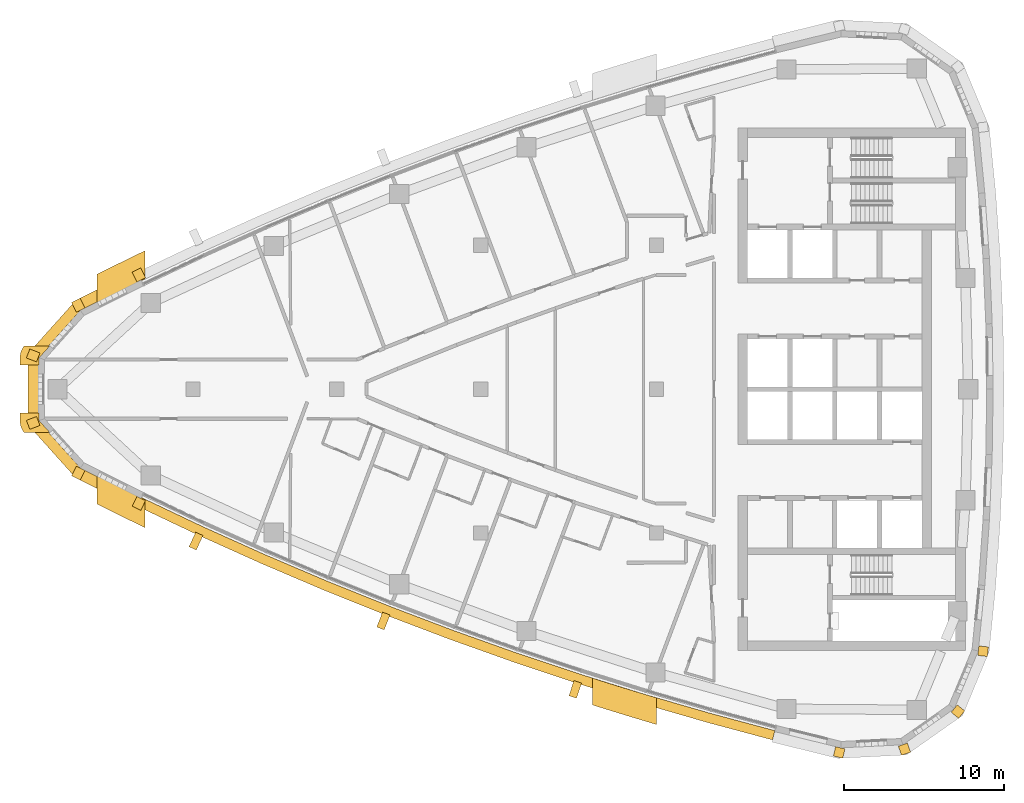
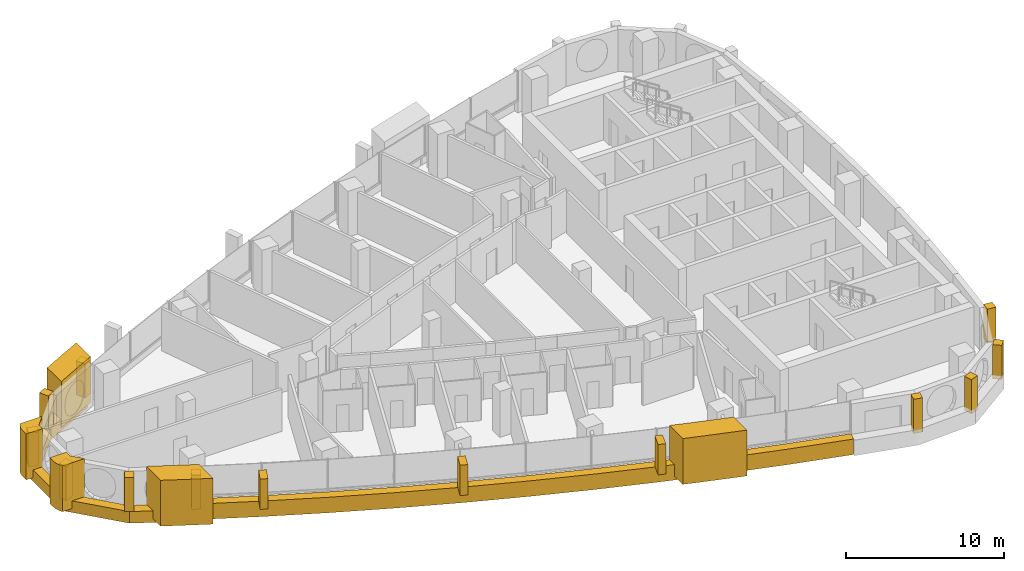
# One storey, part 13 of 16: 20 coverings.
"""IFC4 building model written with IfcOpenShell, lengths in metres."""

import ifcopenshell
import ifcopenshell.guid

model = None  # the IFC model being written
_history = None  # IfcOwnerHistory: only IFC2X3 demands one
_inside = {}  # id of a spatial element -> (the spatial element, [elements in it])
_under = {}  # id of a project, library or spatial element -> (it, [spatial elements below it])
_declared = {}  # id of a project -> (the project, [libraries it declares])
_typed = {}  # id of a type object -> (the type object, [elements of that type])
_made_of = {}  # id of a material, layer set ... -> (it, [elements and type objects made of it])


def new_model(schema):
    """Start an empty IFC model of exactly this schema.

    Asked for "IFC4X3", IfcOpenShell would pick the latest addendum, in which some entities
    have other attributes; the version numbers below select the first issue.
    IFC2X3 requires an IfcOwnerHistory on every rooted entity: one is made here for all.
    """
    global model, _history
    if schema == "IFC4X3":
        model = ifcopenshell.file(schema_version=(4, 3, 0, 0))
    else:
        model = ifcopenshell.file(schema=schema)
    _inside.clear()
    _under.clear()
    _declared.clear()
    _typed.clear()
    _made_of.clear()
    _history = None
    if model.schema == "IFC2X3":
        org = make("IfcOrganization", Name="unknown")
        user = make(
            "IfcPersonAndOrganization",
            ThePerson=make("IfcPerson", FamilyName="unknown"),
            TheOrganization=org,
        )
        app = make(
            "IfcApplication",
            ApplicationDeveloper=org,
            Version="unknown",
            ApplicationFullName="unknown",
            ApplicationIdentifier="unknown",
        )
        _history = make(
            "IfcOwnerHistory",
            OwningUser=user,
            OwningApplication=app,
            ChangeAction="ADDED",
            CreationDate=0,
        )
    return model


def make(cls, **values):
    """One entity of the class cls with the attributes given. An attribute that is None is left unset."""
    return model.create_entity(
        cls, **{name: value for name, value in values.items() if value is not None}
    )


def rooted(cls, **values):
    """An entity with a GlobalId (a new one), such as an element, a storey or a relation."""
    return make(cls, GlobalId=ifcopenshell.guid.new(), OwnerHistory=_history, **values)


def si_unit(unit_type, name, prefix=None):
    """IfcSIUnit, for example si_unit("LENGTHUNIT", "METRE", prefix="MILLI")."""
    return make("IfcSIUnit", UnitType=unit_type, Prefix=prefix, Name=name)


def assignment(units):
    """IfcUnitAssignment: the units of a project."""
    return None if units is None else make("IfcUnitAssignment", Units=units)


def point(xyz):
    """IfcCartesianPoint."""
    return None if xyz is None else make("IfcCartesianPoint", Coordinates=xyz)


def direction(xyz):
    """IfcDirection."""
    return None if xyz is None else make("IfcDirection", DirectionRatios=xyz)


def frame(location, z_axis=None, x_axis=None):
    """IfcAxis2Placement3D, a coordinate frame: its origin and axes. An axis left out is left unset."""
    return make(
        "IfcAxis2Placement3D",
        Location=point(location),
        Axis=direction(z_axis),
        RefDirection=direction(x_axis),
    )


def frame_2d(location, x_axis=None):
    """IfcAxis2Placement2D, a coordinate frame in the plane: its origin and x axis."""
    return make(
        "IfcAxis2Placement2D", Location=point(location), RefDirection=direction(x_axis)
    )


def origin():
    """The frame at (0, 0, 0) with its axes left unset."""
    return frame((0.0, 0.0, 0.0))


def place(relative_to, where):
    """IfcLocalPlacement: puts the frame where relative to a parent placement (None: the world)."""
    return make(
        "IfcLocalPlacement", PlacementRelTo=relative_to, RelativePlacement=where
    )


def context(
    kind, dimensions, precision=None, world=None, true_north=None, identifier=None
):
    """IfcGeometricRepresentationContext, for example the 3D "Model" context."""
    return make(
        "IfcGeometricRepresentationContext",
        ContextIdentifier=identifier,
        ContextType=kind,
        CoordinateSpaceDimension=dimensions,
        Precision=precision,
        WorldCoordinateSystem=world,
        TrueNorth=true_north,
    )


def subcontext(parent, identifier, kind, view, scale=None):
    """IfcGeometricRepresentationSubContext, for example "Body" below "Model"."""
    return make(
        "IfcGeometricRepresentationSubContext",
        ContextIdentifier=identifier,
        ContextType=kind,
        ParentContext=parent,
        TargetScale=scale,
        TargetView=view,
    )


def project(units=None, contexts=None):
    """IfcProject with its units and contexts."""
    return rooted(
        "IfcProject",
        Name="project",
        RepresentationContexts=contexts,
        UnitsInContext=assignment(units),
    )


def spatial(cls, under=None, at=None, **own):
    """A site, building, storey or space (cls), placed at a placement, below another one or the project."""
    s = rooted(cls, ObjectPlacement=at, **own)
    if under is not None:
        _under.setdefault(under.id(), (under, []))[1].append(s)
    return s


def polyline(points):
    """IfcPolyline through the points."""
    return make("IfcPolyline", Points=[point(p) for p in points])


def profile(cls, at=None, kind="AREA", **sizes):
    """A parametric profile (cls). Its sizes go by their IFC names, for example OverallWidth=200.0."""
    return make(cls, ProfileType=kind, Position=at, **sizes)


def rectangle(**sizes):
    """IfcRectangleProfileDef."""
    return profile("IfcRectangleProfileDef", **sizes)


def outline(outer, holes=None, kind="AREA"):
    """IfcArbitraryClosedProfileDef: a profile drawn as a closed curve; with holes, ...WithVoids."""
    if holes is None:
        return make("IfcArbitraryClosedProfileDef", ProfileType=kind, OuterCurve=outer)
    return make(
        "IfcArbitraryProfileDefWithVoids",
        ProfileType=kind,
        OuterCurve=outer,
        InnerCurves=holes,
    )


def extrude(swept, where, along, depth):
    """IfcExtrudedAreaSolid: the profile swept, set in the frame where, extruded along a direction by depth."""
    return make(
        "IfcExtrudedAreaSolid",
        SweptArea=swept,
        Position=where,
        ExtrudedDirection=direction(along),
        Depth=depth,
    )


def shape(context_of_items, identifier, shape_type, items):
    """IfcShapeRepresentation: the items that make up one representation, for example the "Body"."""
    return make(
        "IfcShapeRepresentation",
        ContextOfItems=context_of_items,
        RepresentationIdentifier=identifier,
        RepresentationType=shape_type,
        Items=items,
    )


def material(Name=None, Category=None):
    """IfcMaterial."""
    return make("IfcMaterial", Name=Name, Category=Category)


def layer(
    of_material, thickness, ventilated=None, Name=None, Category=None, Priority=None
):
    """IfcMaterialLayer: one layer of a wall or slab, of a material (None: an air gap)."""
    return make(
        "IfcMaterialLayer",
        Material=of_material,
        LayerThickness=thickness,
        IsVentilated=ventilated,
        Name=Name,
        Category=Category,
        Priority=Priority,
    )


def layer_set(layers, Name=None):
    """IfcMaterialLayerSet."""
    return make("IfcMaterialLayerSet", MaterialLayers=layers, LayerSetName=Name)


def made_of(thing, what):
    """Note that an element or type object is made of a material, layer set ...; save() writes the relation."""
    if what is not None:
        _made_of.setdefault(what.id(), (what, []))[1].append(thing)
    return thing


def type_object(cls, material=None, **own):
    """A type object (cls), such as IfcWallType, which elements share."""
    return made_of(rooted(cls, **own), material)


def element(
    cls,
    number,
    at=None,
    inside=None,
    cuts=None,
    type_object=None,
    material=None,
    context=None,
    identifier="Body",
    shape_type=None,
    held_by="IfcProductDefinitionShape",
    body=None,
    shapes=None,
    **own,
):
    """One element of the class cls, such as IfcWall. Its Tag is "e" and its number.

    at: its placement. inside: the storey or other place that contains it. cuts: it is an
    opening in that element (IfcRelVoidsElement). A single representation is given by context,
    identifier, shape_type and body (its items); several are given by shapes. held_by: the class
    of the entity that holds the representations. save() writes the other relations.
    """
    e = rooted(cls, Tag="e%d" % number, ObjectPlacement=at, **own)
    if body is not None:
        shapes = [shape(context, identifier, shape_type, body)]
    if shapes is not None:
        e.Representation = make(held_by, Representations=shapes)
    if inside is not None:
        _inside.setdefault(inside.id(), (inside, []))[1].append(e)
    if cuts is not None:
        rooted(
            "IfcRelVoidsElement", RelatingBuildingElement=cuts, RelatedOpeningElement=e
        )
    if type_object is not None:
        _typed.setdefault(type_object.id(), (type_object, []))[1].append(e)
    return made_of(e, material)


def aggregate(whole, parts):
    """IfcRelAggregates: a whole, such as a stair, and the parts it consists of."""
    return rooted("IfcRelAggregates", RelatingObject=whole, RelatedObjects=parts)


def save(model, path):
    """Write the relations noted so far, then the file.

    IfcRelAggregates (storeys below a building ...), IfcRelContainedInSpatialStructure (elements
    in a storey), IfcRelDefinesByType, IfcRelAssociatesMaterial and IfcRelDeclares: one each for
    every whole, place, type object, material and project.
    """
    for whole, parts in _under.values():
        aggregate(whole, parts)
    for where, things in _inside.values():
        rooted(
            "IfcRelContainedInSpatialStructure",
            RelatedElements=things,
            RelatingStructure=where,
        )
    for kind, things in _typed.values():
        rooted("IfcRelDefinesByType", RelatedObjects=things, RelatingType=kind)
    for what, things in _made_of.values():
        rooted("IfcRelAssociatesMaterial", RelatedObjects=things, RelatingMaterial=what)
    for by, libraries in _declared.values():
        rooted("IfcRelDeclares", RelatingContext=by, RelatedDefinitions=libraries)
    model.write(path)


model = new_model("IFC4")

# Units and contexts
model_context = context("Model", 3, precision=1e-05, world=origin(), true_north=direction((0.0, 1.0)))
body_context = subcontext(model_context, "Body", "Model", "MODEL_VIEW")
ifc_project = project(units=[si_unit("LENGTHUNIT", "METRE"), si_unit("AREAUNIT", "SQUARE_METRE"), si_unit("VOLUMEUNIT", "CUBIC_METRE"), si_unit("PLANEANGLEUNIT", "RADIAN"), si_unit("MASSUNIT", "GRAM", prefix="KILO")], contexts=[model_context])

# Site, building, storey
site_placement = place(None, origin())
site = spatial("IfcSite", under=ifc_project, at=site_placement, CompositionType="ELEMENT")
building_placement = place(site_placement, origin())
building = spatial("IfcBuilding", under=site, at=building_placement, Name="Ostrand Prow Hotel Tower", CompositionType="ELEMENT")
storey_placement = place(building_placement, frame((0.0, 0.0, 245.64990234375)))
storey = spatial("IfcBuildingStorey", under=building, at=storey_placement, Name="L62", CompositionType="ELEMENT", Elevation=245.64990234375)

# Coverings
ifc_material_1 = material(Name="Bronze anodised aluminium cladding", Category="aluminium")
ifc_layer_1 = layer(ifc_material_1, 0.60009765625)
ifc_layer_set_1 = layer_set([ifc_layer_1], Name="Bronze anodised aluminium cladding")
covering_type_1 = type_object("IfcCoveringType", Name="Bronze prow band 899x600", PredefinedType="CLADDING", material=ifc_layer_set_1)
covering_1_placement = place(storey_placement, frame((0.0, 0.0, -0.2998046875)))
element("IfcCovering", 1, at=covering_1_placement, inside=storey, type_object=covering_type_1, Name="Bronze prow band", PredefinedType="CLADDING", context=body_context, shape_type="SweptSolid", body=[
    extrude(outline(polyline([(12.464111328125, 7.451904296875), (8.668212890625, 5.55517578125), (5.685302734375, 2.232666015625), (5.685302734375, -2.232666015625), (8.668212890625, -5.55517578125), (12.464111328125, -7.451904296875), (12.76171875, -6.840576171875), (8.97802734375, -4.949951171875), (6.3203125, -1.9892578125), (6.3203125, 1.9892578125), (8.97802734375, 4.949951171875), (12.76171875, 6.840576171875), (12.464111328125, 7.451904296875)])), origin(), (0.0, 0.0, 1.0), 0.89990234375),
])
ifc_material_2 = material(Name="Bronze anodised aluminium cladding", Category="aluminium")
ifc_layer_2 = layer(ifc_material_2, 0.60009765625)
ifc_layer_set_2 = layer_set([ifc_layer_2], Name="Bronze anodised aluminium cladding")
covering_type_2 = type_object("IfcCoveringType", Name="Bronze spandrel band 1200x600", PredefinedType="CLADDING", material=ifc_layer_set_2)
covering_2_placement = place(storey_placement, frame((0.0, 0.0, -0.2998046875)))
element("IfcCovering", 2, at=covering_2_placement, inside=storey, type_object=covering_type_2, Name="Spandrel band S1", PredefinedType="CLADDING", context=body_context, shape_type="SweptSolid", body=[
    extrude(outline(polyline([(12.526123046875, -7.324462890625), (16.35693359375, -9.14306640625), (20.2236328125, -10.88427734375), (24.12451171875, -12.547119140625), (28.058349609375, -14.131103515625), (32.02294921875, -15.635498046875), (36.017333984375, -17.059814453125), (40.039306640625, -18.403564453125), (44.087890625, -19.665771484375), (48.16064453125, -20.846435546875), (52.256591796875, -21.944580078125), (52.40625, -21.363525390625), (48.322021484375, -20.268310546875), (44.260498046875, -19.09130859375), (40.223876953125, -17.83251953125), (36.213134765625, -16.49267578125), (32.230224609375, -15.072509765625), (28.27685546875, -13.572265625), (24.354248046875, -11.992919921875), (20.464599609375, -10.334716796875), (16.60888671875, -8.598388671875), (12.788818359375, -6.784912109375), (12.526123046875, -7.324462890625)])), origin(), (0.0, 0.0, 1.0), 1.199951171875),
])
ifc_material_3 = material(Name="Limestone cladding", Category="masonry")
ifc_layer_3 = layer(ifc_material_3, 5.0)
ifc_layer_set_3 = layer_set([ifc_layer_3], Name="Limestone cladding")
covering_type_3 = type_object("IfcCoveringType", Name="Portal jamb pilaster limestone", PredefinedType="CLADDING", material=ifc_layer_set_3)
covering_3_placement = place(storey_placement, origin())
element("IfcCovering", 3, at=covering_3_placement, inside=storey, type_object=covering_type_3, Name="Portal jamb SA L62", PredefinedType="CLADDING", context=body_context, shape_type="SweptSolid", body=[
    extrude(outline(polyline([(10.0, -5.40087890625), (10.0, -7.19189453125), (11.0, -7.689453125), (12.0, -8.180419921875), (13.0, -8.664794921875), (13.0, -6.8876953125), (12.0, -6.398681640625), (11.0, -5.903076171875), (10.0, -5.40087890625)])), origin(), (0.0, 0.0, 1.0), 3.550048828125),
])
covering_4_placement = place(storey_placement, origin())
element("IfcCovering", 4, at=covering_4_placement, inside=storey, type_object=covering_type_3, Name="Portal jamb SB L62", PredefinedType="CLADDING", context=body_context, shape_type="SweptSolid", body=[
    extrude(outline(polyline([(41.0, -18.08154296875), (41.0, -19.760009765625), (42.0, -20.0732421875), (43.0, -20.381103515625), (44.0, -20.68359375), (45.0, -20.980712890625), (45.0, -19.312255859375), (44.0, -19.0126953125), (43.0, -18.707763671875), (42.0, -18.3974609375), (41.0, -18.08154296875)])), origin(), (0.0, 0.0, 1.0), 3.550048828125),
])
covering_5_placement = place(storey_placement, origin())
element("IfcCovering", 5, at=covering_5_placement, inside=storey, type_object=covering_type_3, Name="Portal jamb NA L62", PredefinedType="CLADDING", context=body_context, shape_type="SweptSolid", body=[
    extrude(outline(polyline([(10.0, 5.40087890625), (11.0, 5.903076171875), (12.0, 6.398681640625), (13.0, 6.8876953125), (13.0, 8.664794921875), (12.0, 8.180419921875), (11.0, 7.689453125), (10.0, 7.19189453125), (10.0, 5.40087890625)])), origin(), (0.0, 0.0, 1.0), 3.550048828125),
])
ifc_material_4 = material(Name="Limestone cladding", Category="masonry")
ifc_layer_4 = layer(ifc_material_4, 0.5)
ifc_layer_set_4 = layer_set([ifc_layer_4], Name="Limestone cladding")
covering_type_4 = type_object("IfcCoveringType", Name="Precast stone fin 500x900", PredefinedType="CLADDING", material=ifc_layer_set_4)
covering_6_placement = place(storey_placement, frame((16.39892578125, -9.05224609375, 0.900146484375), z_axis=(0.0, 0.0, 1.0), x_axis=(-0.419661863421, -0.907680516696, 0.0)))
element("IfcCovering", 6, at=covering_6_placement, inside=storey, type_object=covering_type_4, Name="Stone fin S 2", PredefinedType="CLADDING", context=body_context, shape_type="SweptSolid", body=[
    extrude(rectangle(XDim=1.0, YDim=0.5, at=frame_2d((0.5, 0.0))), origin(), (0.0, 0.0, 1.0), 2.349853515625),
])
covering_7_placement = place(storey_placement, frame((28.0947265625, -14.0380859375, 0.900146484375), z_axis=(0.0, 0.0, 1.0), x_axis=(-0.364307281276, -0.931278800795, 0.0)))
element("IfcCovering", 7, at=covering_7_placement, inside=storey, type_object=covering_type_4, Name="Stone fin S 5", PredefinedType="CLADDING", context=body_context, shape_type="SweptSolid", body=[
    extrude(rectangle(XDim=0.999755859375, YDim=0.5, at=frame_2d((0.5, 0.0))), origin(), (0.0, 0.0, 1.0), 2.349853515625),
])
covering_8_placement = place(storey_placement, frame((40.070068359375, -18.308349609375, 0.900146484375), z_axis=(0.0, 0.0, 1.0), x_axis=(-0.307352263966, -0.951595810118, 0.0)))
element("IfcCovering", 8, at=covering_8_placement, inside=storey, type_object=covering_type_4, Name="Stone fin S 8", PredefinedType="CLADDING", context=body_context, shape_type="SweptSolid", body=[
    extrude(rectangle(XDim=1.0, YDim=0.5, at=frame_2d((0.5, 0.0))), origin(), (0.0, 0.0, 1.0), 2.349853515625),
])
ifc_material_5 = material(Name="Limestone cladding", Category="masonry")
ifc_layer_5 = layer(ifc_material_5, 0.60009765625)
ifc_layer_set_5 = layer_set([ifc_layer_5], Name="Limestone cladding")
covering_type_5 = type_object("IfcCoveringType", Name="Precast stone prow rib 600x600", PredefinedType="CLADDING", material=ifc_layer_set_5)
for number, where, z_axis, x_axis, name in (
    (9, (12.76171875, 6.840576171875, 0.60009765625), (0.0, 0.0, 1.0), (-0.437708972644, 0.899116708368, 0.0), "Stone prow rib 1"),
    (10, (8.97802734375, 4.949951171875, 0.60009765625), (0.0, 0.0, 1.0), (-0.455667721738, 0.890149946563, 0.0), "Stone prow rib 2"),
):
    element("IfcCovering", number, at=place(storey_placement, frame(where, z_axis=z_axis, x_axis=x_axis)), inside=storey, type_object=covering_type_5, Name=name, PredefinedType="CLADDING", context=body_context, shape_type="SweptSolid", body=[
        extrude(rectangle(XDim=0.679931640625, YDim=0.60009765625, at=frame_2d((0.33984375, 0.0))), origin(), (0.0, 0.0, 1.0), 2.64990234375),
    ])
for number, where, z_axis, x_axis, name in (
    (11, (6.3203125, 1.9892578125, 0.60009765625), (0.0, 0.0, 1.0), (-0.9337521164, 0.357920361419, 0.0), "Stone prow rib 3"),
    (12, (6.3203125, -1.9892578125, 0.60009765625), (0.0, 0.0, 1.0), (-0.9337521164, -0.357920361419, 0.0), "Stone prow rib 4"),
):
    element("IfcCovering", number, at=place(storey_placement, frame(where, z_axis=z_axis, x_axis=x_axis)), inside=storey, type_object=covering_type_5, Name=name, PredefinedType="CLADDING", context=body_context, shape_type="SweptSolid", body=[
        extrude(rectangle(XDim=0.68017578125, YDim=0.60009765625, at=frame_2d((0.340087890625, 0.0))), origin(), (0.0, 0.0, 1.0), 2.64990234375),
    ])
for number, where, z_axis, x_axis, name in (
    (13, (8.97802734375, -4.949951171875, 0.60009765625), (0.0, 0.0, 1.0), (-0.455667721738, -0.890149946563, 0.0), "Stone prow rib 5"),
    (14, (12.76171875, -6.840576171875, 0.60009765625), (0.0, 0.0, 1.0), (-0.437708972644, -0.899116708368, 0.0), "Stone prow rib 6"),
):
    element("IfcCovering", number, at=place(storey_placement, frame(where, z_axis=z_axis, x_axis=x_axis)), inside=storey, type_object=covering_type_5, Name=name, PredefinedType="CLADDING", context=body_context, shape_type="SweptSolid", body=[
        extrude(rectangle(XDim=0.679931640625, YDim=0.60009765625, at=frame_2d((0.33984375, 0.0))), origin(), (0.0, 0.0, 1.0), 2.64990234375),
    ])
for number, where, z_axis, x_axis, name in (
    (15, (56.49755859375, -22.436279296875, 0.60009765625), (0.0, 0.0, 1.0), (-0.229878322855, -0.973219377469, 0.0), "Stone corner rib 2a"),
    (16, (60.417236328125, -22.240966796875, 0.60009765625), (0.0, 0.0, 1.0), (0.325489086777, -0.945545797087, 0.0), "Stone corner rib 3a"),
    (17, (63.62744140625, -19.98291015625, 0.60009765625), (0.0, 0.0, 1.0), (0.779994736518, -0.625786074473, 0.0), "Stone corner rib 4a"),
    (18, (65.13623046875, -16.35986328125, 0.60009765625), (0.0, 0.0, 1.0), (0.993628058569, -0.112708833834, 0.0), "Stone corner rib 4b"),
):
    element("IfcCovering", number, at=place(storey_placement, frame(where, z_axis=z_axis, x_axis=x_axis)), inside=storey, type_object=covering_type_5, Name=name, PredefinedType="CLADDING", context=body_context, shape_type="SweptSolid", body=[
        extrude(rectangle(XDim=0.60009765625, YDim=0.60009765625, at=frame_2d((0.300048828125, 0.0))), origin(), (0.0, 0.0, 1.0), 2.64990234375),
    ])
ifc_material_6 = material(Name="Limestone cladding", Category="masonry")
ifc_layer_6 = layer(ifc_material_6, 3.0)
ifc_layer_set_6 = layer_set([ifc_layer_6], Name="Limestone cladding")
covering_type_6 = type_object("IfcCoveringType", Name="Prow nose pier limestone", PredefinedType="CLADDING", material=ifc_layer_set_6)
covering_9_placement = place(storey_placement, origin())
element("IfcCovering", 19, at=covering_9_placement, inside=storey, type_object=covering_type_6, Name="Prow spine fin N L62", PredefinedType="CLADDING", context=body_context, shape_type="SweptSolid", body=[
    extrude(outline(polyline([(5.177734375, 1.96728515625), (5.177734375, 1.5), (6.377685546875, 1.5), (6.377685546875, 1.96728515625), (7.03564453125, 2.699951171875), (5.42919921875, 2.699951171875), (5.406005859375, 2.67138671875), (5.337890625, 2.566162109375), (5.28125, 2.454345703125), (5.236328125, 2.33740234375), (5.203857421875, 2.21630859375), (5.184326171875, 2.09228515625), (5.177734375, 1.96728515625)])), origin(), (0.0, 0.0, 1.0), 3.550048828125),
])
covering_10_placement = place(storey_placement, origin())
element("IfcCovering", 20, at=covering_10_placement, inside=storey, type_object=covering_type_6, Name="Prow spine fin S L62", PredefinedType="CLADDING", context=body_context, shape_type="SweptSolid", body=[
    extrude(outline(polyline([(5.406005859375, -2.67138671875), (5.42919921875, -2.699951171875), (7.03564453125, -2.699951171875), (6.377685546875, -1.96728515625), (6.377685546875, -1.5), (5.177734375, -1.5), (5.177734375, -1.96728515625), (5.184326171875, -2.09228515625), (5.203857421875, -2.21630859375), (5.236328125, -2.33740234375), (5.28125, -2.454345703125), (5.337890625, -2.566162109375), (5.406005859375, -2.67138671875)])), origin(), (0.0, 0.0, 1.0), 3.550048828125),
])

save(model, "model.ifc")
